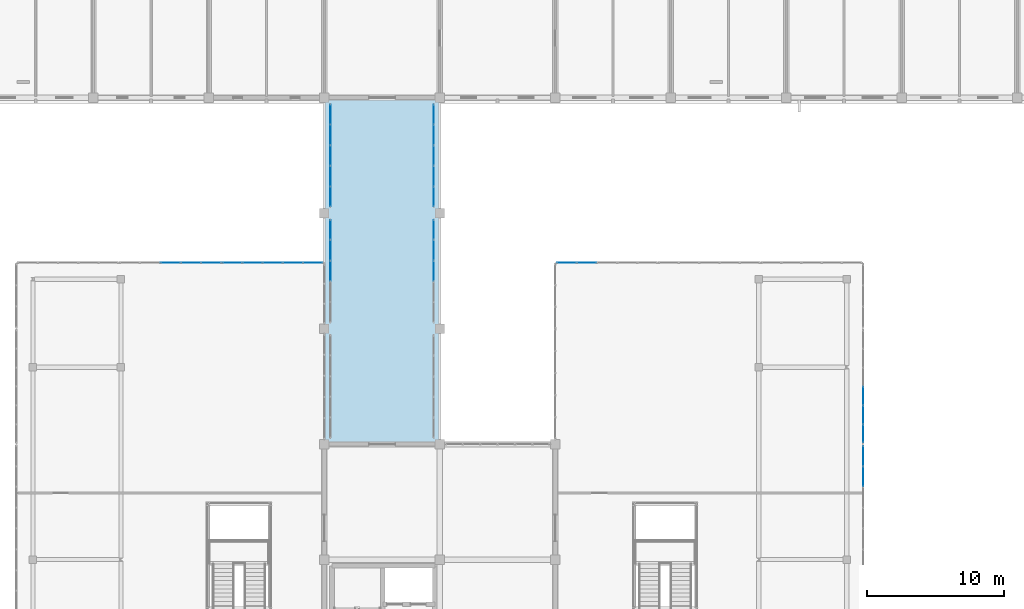
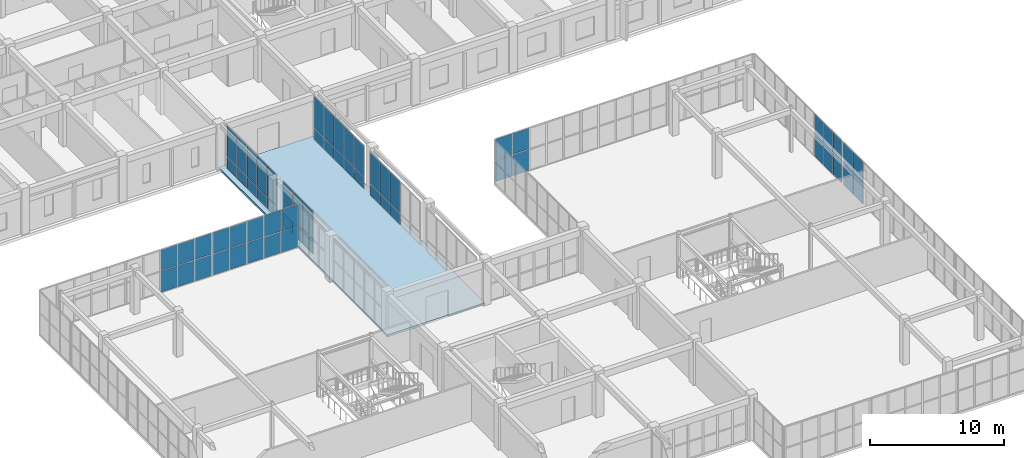
# One storey, part 103 of 140: 62 plates, 1 slab, 9 elements without a shape of their own.
"""IFC4 building model written with IfcOpenShell, lengths in metres."""

from ifc_helpers import new_model, si_unit, direction, frame, origin, origin_2d, place, context, subcontext, project, spatial, polyline, rectangle, outline, extrude, material, layer, layer_set, type_object, element, aggregate, save


model = new_model("IFC4")

# Units and contexts
model_context = context("Model", 3, precision=1e-05, world=origin(), true_north=direction((0.0, 1.0)))
body_context = subcontext(model_context, "Body", "Model", "MODEL_VIEW")
ifc_project = project(units=[si_unit("LENGTHUNIT", "METRE"), si_unit("AREAUNIT", "SQUARE_METRE"), si_unit("VOLUMEUNIT", "CUBIC_METRE"), si_unit("PLANEANGLEUNIT", "RADIAN"), si_unit("MASSUNIT", "GRAM", prefix="KILO")], contexts=[model_context])

# Site, building, storey
site_placement = place(None, origin())
site = spatial("IfcSite", under=ifc_project, at=site_placement, CompositionType="ELEMENT")
building_placement = place(site_placement, origin())
building = spatial("IfcBuilding", under=site, at=building_placement, Name="Trelvath General Hospital", CompositionType="ELEMENT")
storey_placement = place(building_placement, frame((0.0, 0.0, 16.199951171875)))
storey = spatial("IfcBuildingStorey", under=building, at=storey_placement, Name="L04", CompositionType="ELEMENT", Elevation=16.199951171875)

# Slab
ifc_material_1 = material(Name="Concrete C35/45", Category="concrete")
ifc_layer_1 = layer(ifc_material_1, 0.18994140625)
ifc_layer_set_1 = layer_set([ifc_layer_1], Name="Concrete C35/45")
slab_type = type_object("IfcSlabType", Name="BridgeDeck 190", PredefinedType="FLOOR", material=ifc_layer_set_1)
slab_placement = place(storey_placement, frame((0.0, 0.0, -0.18994140625)))
element("IfcSlab", 1, at=slab_placement, inside=storey, type_object=slab_type, Name="Courtyard Bridge Deck BRG-N-C L04", PredefinedType="FLOOR", context=body_context, shape_type="SweptSolid", body=[
    extrude(outline(polyline([(75.60009765625, 67.199951171875), (84.0, 67.199951171875), (84.0, 92.39990234375), (75.60009765625, 92.39990234375), (75.60009765625, 67.199951171875)])), origin(), (0.0, 0.0, 1.0), 0.18994140625),
])

# Curtain wall, plates
ifc_material_2 = material(Name="Anodised aluminium and low-E glass", Category="aluminium")
ifc_layer_2 = layer(ifc_material_2, 0.139892578125)
ifc_layer_set_2 = layer_set([ifc_layer_2], Name="Anodised aluminium and low-E glass")
curtain_wall_type_1 = type_object("IfcCurtainWallType", Name="CW CrystalCube 743 396 14", PredefinedType="USERDEFINED", material=ifc_layer_set_2)
curtain_wall_1_placement = place(storey_placement, origin())
curtain_wall_1 = element("IfcCurtainWall", 2, at=curtain_wall_1_placement, inside=storey, type_object=curtain_wall_type_1, Name="Crystal Cube Curtain Wall CUBE-W-T1 N2 L04", ObjectType="Unitised Glazed Curtain Wall", PredefinedType="USERDEFINED")
ifc_material_3 = material(Name="Low-E laminated glass", Category="glass")
ifc_layer_3 = layer(ifc_material_3, 0.028076171875)
ifc_layer_set_3 = layer_set([ifc_layer_3], Name="Low-E laminated glass")
plate_type = type_object("IfcPlateType", Name="CurtainPanel Glass28", PredefinedType="CURTAIN_PANEL", material=ifc_layer_set_3)
plate_1_placement = place(storey_placement, frame((64.39990234375, 80.39990234375, 0.06005859375), z_axis=(0.0, 0.0, 1.0), x_axis=(1.0, 0.0, 0.0)))
plate_1 = element("IfcPlate", 3, at=plate_1_placement, type_object=plate_type, Name="CW-272 panel 3.1", PredefinedType="CURTAIN_PANEL", context=body_context, shape_type="SweptSolid", body=[
    extrude(rectangle(XDim=1.42529296875, YDim=0.028076171875, at=origin_2d()), origin(), (0.0, 0.0, 1.0), 1.889892578125),
])
plate_2_placement = place(storey_placement, frame((64.39990234375, 80.39990234375, 2.01025390625), z_axis=(0.0, 0.0, 1.0), x_axis=(1.0, 0.0, 0.0)))
plate_2 = element("IfcPlate", 4, at=plate_2_placement, type_object=plate_type, Name="CW-272 panel 3.2", PredefinedType="CURTAIN_PANEL", context=body_context, shape_type="SweptSolid", body=[
    extrude(rectangle(XDim=1.42529296875, YDim=0.028076171875, at=origin_2d()), origin(), (0.0, 0.0, 1.0), 1.889892578125),
])
plate_3_placement = place(storey_placement, frame((65.88525390625, 80.39990234375, 0.06005859375), z_axis=(0.0, 0.0, 1.0), x_axis=(1.0, 0.0, 0.0)))
plate_3 = element("IfcPlate", 5, at=plate_3_placement, type_object=plate_type, Name="CW-272 panel 4.1", PredefinedType="CURTAIN_PANEL", context=body_context, shape_type="SweptSolid", body=[
    extrude(rectangle(XDim=1.42529296875, YDim=0.028076171875, at=origin_2d()), origin(), (0.0, 0.0, 1.0), 1.889892578125),
])
plate_4_placement = place(storey_placement, frame((65.88525390625, 80.39990234375, 2.01025390625), z_axis=(0.0, 0.0, 1.0), x_axis=(1.0, 0.0, 0.0)))
plate_4 = element("IfcPlate", 6, at=plate_4_placement, type_object=plate_type, Name="CW-272 panel 4.2", PredefinedType="CURTAIN_PANEL", context=body_context, shape_type="SweptSolid", body=[
    extrude(rectangle(XDim=1.42529296875, YDim=0.028076171875, at=origin_2d()), origin(), (0.0, 0.0, 1.0), 1.889892578125),
])
plate_5_placement = place(storey_placement, frame((67.355712890625, 80.39990234375, 0.06005859375), z_axis=(0.0, 0.0, 1.0), x_axis=(1.0, 0.0, 0.0)))
plate_5 = element("IfcPlate", 7, at=plate_5_placement, type_object=plate_type, Name="CW-272 panel 5.1", PredefinedType="CURTAIN_PANEL", context=body_context, shape_type="SweptSolid", body=[
    extrude(rectangle(XDim=1.395263671875, YDim=0.028076171875, at=origin_2d()), origin(), (0.0, 0.0, 1.0), 1.889892578125),
])
plate_6_placement = place(storey_placement, frame((67.355712890625, 80.39990234375, 2.01025390625), z_axis=(0.0, 0.0, 1.0), x_axis=(1.0, 0.0, 0.0)))
plate_6 = element("IfcPlate", 8, at=plate_6_placement, type_object=plate_type, Name="CW-272 panel 5.2", PredefinedType="CURTAIN_PANEL", context=body_context, shape_type="SweptSolid", body=[
    extrude(rectangle(XDim=1.395263671875, YDim=0.028076171875, at=origin_2d()), origin(), (0.0, 0.0, 1.0), 1.889892578125),
])
aggregate(curtain_wall_1, [plate_1, plate_2, plate_3, plate_4, plate_5, plate_6])

ifc_material_4 = material(Name="Anodised aluminium and low-E glass", Category="aluminium")
ifc_layer_4 = layer(ifc_material_4, 0.139892578125)
ifc_layer_set_4 = layer_set([ifc_layer_4], Name="Anodised aluminium and low-E glass")
curtain_wall_type_2 = type_object("IfcCurtainWallType", Name="CW CrystalCube 737 396 14", PredefinedType="USERDEFINED", material=ifc_layer_set_4)
curtain_wall_2_placement = place(storey_placement, origin())
curtain_wall_2 = element("IfcCurtainWall", 9, at=curtain_wall_2_placement, inside=storey, type_object=curtain_wall_type_2, Name="Crystal Cube Curtain Wall CUBE-W-T1 N3 L04", ObjectType="Unitised Glazed Curtain Wall", PredefinedType="USERDEFINED")
plate_7_placement = place(storey_placement, frame((68.905029296875, 80.39990234375, 0.06005859375), z_axis=(0.0, 0.0, 1.0), x_axis=(1.0, 0.0, 0.0)))
plate_7 = element("IfcPlate", 10, at=plate_7_placement, type_object=plate_type, Name="CW-273 panel 1.1", PredefinedType="CURTAIN_PANEL", context=body_context, shape_type="SweptSolid", body=[
    extrude(rectangle(XDim=1.38330078125, YDim=0.028076171875, at=origin_2d()), origin(), (0.0, 0.0, 1.0), 1.889892578125),
])
plate_8_placement = place(storey_placement, frame((68.905029296875, 80.39990234375, 2.01025390625), z_axis=(0.0, 0.0, 1.0), x_axis=(1.0, 0.0, 0.0)))
plate_8 = element("IfcPlate", 11, at=plate_8_placement, type_object=plate_type, Name="CW-273 panel 1.2", PredefinedType="CURTAIN_PANEL", context=body_context, shape_type="SweptSolid", body=[
    extrude(rectangle(XDim=1.38330078125, YDim=0.028076171875, at=origin_2d()), origin(), (0.0, 0.0, 1.0), 1.889892578125),
])
plate_9_placement = place(storey_placement, frame((70.36328125, 80.39990234375, 0.06005859375), z_axis=(0.0, 0.0, 1.0), x_axis=(1.0, 0.0, 0.0)))
plate_9 = element("IfcPlate", 12, at=plate_9_placement, type_object=plate_type, Name="CW-273 panel 2.1", PredefinedType="CURTAIN_PANEL", context=body_context, shape_type="SweptSolid", body=[
    extrude(rectangle(XDim=1.413330078125, YDim=0.028076171875, at=origin_2d()), origin(), (0.0, 0.0, 1.0), 1.889892578125),
])
plate_10_placement = place(storey_placement, frame((70.36328125, 80.39990234375, 2.01025390625), z_axis=(0.0, 0.0, 1.0), x_axis=(1.0, 0.0, 0.0)))
plate_10 = element("IfcPlate", 13, at=plate_10_placement, type_object=plate_type, Name="CW-273 panel 2.2", PredefinedType="CURTAIN_PANEL", context=body_context, shape_type="SweptSolid", body=[
    extrude(rectangle(XDim=1.413330078125, YDim=0.028076171875, at=origin_2d()), origin(), (0.0, 0.0, 1.0), 1.889892578125),
])
plate_11_placement = place(storey_placement, frame((71.836669921875, 80.39990234375, 0.06005859375), z_axis=(0.0, 0.0, 1.0), x_axis=(1.0, 0.0, 0.0)))
plate_11 = element("IfcPlate", 14, at=plate_11_placement, type_object=plate_type, Name="CW-273 panel 3.1", PredefinedType="CURTAIN_PANEL", context=body_context, shape_type="SweptSolid", body=[
    extrude(rectangle(XDim=1.413330078125, YDim=0.028076171875, at=origin_2d()), origin(), (0.0, 0.0, 1.0), 1.889892578125),
])
plate_12_placement = place(storey_placement, frame((71.836669921875, 80.39990234375, 2.01025390625), z_axis=(0.0, 0.0, 1.0), x_axis=(1.0, 0.0, 0.0)))
plate_12 = element("IfcPlate", 15, at=plate_12_placement, type_object=plate_type, Name="CW-273 panel 3.2", PredefinedType="CURTAIN_PANEL", context=body_context, shape_type="SweptSolid", body=[
    extrude(rectangle(XDim=1.413330078125, YDim=0.028076171875, at=origin_2d()), origin(), (0.0, 0.0, 1.0), 1.889892578125),
])
plate_13_placement = place(storey_placement, frame((73.31005859375, 80.39990234375, 0.06005859375), z_axis=(0.0, 0.0, 1.0), x_axis=(1.0, 0.0, 0.0)))
plate_13 = element("IfcPlate", 16, at=plate_13_placement, type_object=plate_type, Name="CW-273 panel 4.1", PredefinedType="CURTAIN_PANEL", context=body_context, shape_type="SweptSolid", body=[
    extrude(rectangle(XDim=1.413330078125, YDim=0.028076171875, at=origin_2d()), origin(), (0.0, 0.0, 1.0), 1.889892578125),
])
plate_14_placement = place(storey_placement, frame((73.31005859375, 80.39990234375, 2.01025390625), z_axis=(0.0, 0.0, 1.0), x_axis=(1.0, 0.0, 0.0)))
plate_14 = element("IfcPlate", 17, at=plate_14_placement, type_object=plate_type, Name="CW-273 panel 4.2", PredefinedType="CURTAIN_PANEL", context=body_context, shape_type="SweptSolid", body=[
    extrude(rectangle(XDim=1.413330078125, YDim=0.028076171875, at=origin_2d()), origin(), (0.0, 0.0, 1.0), 1.889892578125),
])
plate_15_placement = place(storey_placement, frame((74.768310546875, 80.39990234375, 0.06005859375), z_axis=(0.0, 0.0, 1.0), x_axis=(1.0, 0.0, 0.0)))
plate_15 = element("IfcPlate", 18, at=plate_15_placement, type_object=plate_type, Name="CW-273 panel 5.1", PredefinedType="CURTAIN_PANEL", context=body_context, shape_type="SweptSolid", body=[
    extrude(rectangle(XDim=1.38330078125, YDim=0.028076171875, at=origin_2d()), origin(), (0.0, 0.0, 1.0), 1.889892578125),
])
plate_16_placement = place(storey_placement, frame((74.768310546875, 80.39990234375, 2.01025390625), z_axis=(0.0, 0.0, 1.0), x_axis=(1.0, 0.0, 0.0)))
plate_16 = element("IfcPlate", 19, at=plate_16_placement, type_object=plate_type, Name="CW-273 panel 5.2", PredefinedType="CURTAIN_PANEL", context=body_context, shape_type="SweptSolid", body=[
    extrude(rectangle(XDim=1.38330078125, YDim=0.028076171875, at=origin_2d()), origin(), (0.0, 0.0, 1.0), 1.889892578125),
])
aggregate(curtain_wall_2, [plate_7, plate_8, plate_9, plate_10, plate_11, plate_12, plate_13, plate_14, plate_15, plate_16])

curtain_wall_3_placement = place(storey_placement, origin())
curtain_wall_3 = element("IfcCurtainWall", 20, at=curtain_wall_3_placement, inside=storey, type_object=curtain_wall_type_2, Name="Crystal Cube Curtain Wall CUBE-E-T1 N1 L04", ObjectType="Unitised Glazed Curtain Wall", PredefinedType="USERDEFINED")
plate_17_placement = place(storey_placement, frame((93.231689453125, 80.39990234375, 0.06005859375), z_axis=(0.0, 0.0, 1.0), x_axis=(1.0, 0.0, 0.0)))
plate_17 = element("IfcPlate", 21, at=plate_17_placement, type_object=plate_type, Name="CW-285 panel 1.1", PredefinedType="CURTAIN_PANEL", context=body_context, shape_type="SweptSolid", body=[
    extrude(rectangle(XDim=1.38330078125, YDim=0.028076171875, at=origin_2d()), origin(), (0.0, 0.0, 1.0), 1.889892578125),
])
plate_18_placement = place(storey_placement, frame((93.231689453125, 80.39990234375, 2.01025390625), z_axis=(0.0, 0.0, 1.0), x_axis=(1.0, 0.0, 0.0)))
plate_18 = element("IfcPlate", 22, at=plate_18_placement, type_object=plate_type, Name="CW-285 panel 1.2", PredefinedType="CURTAIN_PANEL", context=body_context, shape_type="SweptSolid", body=[
    extrude(rectangle(XDim=1.38330078125, YDim=0.028076171875, at=origin_2d()), origin(), (0.0, 0.0, 1.0), 1.889892578125),
])
plate_19_placement = place(storey_placement, frame((94.68994140625, 80.39990234375, 0.06005859375), z_axis=(0.0, 0.0, 1.0), x_axis=(1.0, 0.0, 0.0)))
plate_19 = element("IfcPlate", 23, at=plate_19_placement, type_object=plate_type, Name="CW-285 panel 2.1", PredefinedType="CURTAIN_PANEL", context=body_context, shape_type="SweptSolid", body=[
    extrude(rectangle(XDim=1.413330078125, YDim=0.028076171875, at=origin_2d()), origin(), (0.0, 0.0, 1.0), 1.889892578125),
])
plate_20_placement = place(storey_placement, frame((94.68994140625, 80.39990234375, 2.01025390625), z_axis=(0.0, 0.0, 1.0), x_axis=(1.0, 0.0, 0.0)))
plate_20 = element("IfcPlate", 24, at=plate_20_placement, type_object=plate_type, Name="CW-285 panel 2.2", PredefinedType="CURTAIN_PANEL", context=body_context, shape_type="SweptSolid", body=[
    extrude(rectangle(XDim=1.413330078125, YDim=0.028076171875, at=origin_2d()), origin(), (0.0, 0.0, 1.0), 1.889892578125),
])
aggregate(curtain_wall_3, [plate_17, plate_18, plate_19, plate_20])

ifc_material_5 = material(Name="Anodised aluminium and low-E glass", Category="aluminium")
ifc_layer_5 = layer(ifc_material_5, 0.139892578125)
ifc_layer_set_5 = layer_set([ifc_layer_5], Name="Anodised aluminium and low-E glass")
curtain_wall_type_3 = type_object("IfcCurtainWallType", Name="CW CrystalCube 1664 396 14", PredefinedType="USERDEFINED", material=ifc_layer_set_5)
curtain_wall_4_placement = place(storey_placement, origin())
curtain_wall_4 = element("IfcCurtainWall", 25, at=curtain_wall_4_placement, inside=storey, type_object=curtain_wall_type_3, Name="Crystal Cube Curtain Wall CUBE-E-T1 E3 L04", ObjectType="Unitised Glazed Curtain Wall", PredefinedType="USERDEFINED")
plate_21_placement = place(storey_placement, frame((114.800048828125, 66.3486328125, 0.06005859375), z_axis=(0.0, 0.0, 1.0), x_axis=(0.0, -1.0, 0.0)))
plate_21 = element("IfcPlate", 26, at=plate_21_placement, type_object=plate_type, Name="CW-291 panel 1.1", PredefinedType="CURTAIN_PANEL", context=body_context, shape_type="SweptSolid", body=[
    extrude(rectangle(XDim=1.422607421875, YDim=0.028076171875, at=origin_2d()), origin(), (0.0, 0.0, 1.0), 1.889892578125),
])
plate_22_placement = place(storey_placement, frame((114.800048828125, 66.3486328125, 2.01025390625), z_axis=(0.0, 0.0, 1.0), x_axis=(0.0, -1.0, 0.0)))
plate_22 = element("IfcPlate", 27, at=plate_22_placement, type_object=plate_type, Name="CW-291 panel 1.2", PredefinedType="CURTAIN_PANEL", context=body_context, shape_type="SweptSolid", body=[
    extrude(rectangle(XDim=1.422607421875, YDim=0.028076171875, at=origin_2d()), origin(), (0.0, 0.0, 1.0), 1.889892578125),
])
plate_23_placement = place(storey_placement, frame((114.800048828125, 64.850830078125, 0.06005859375), z_axis=(0.0, 0.0, 1.0), x_axis=(0.0, -1.0, 0.0)))
plate_23 = element("IfcPlate", 28, at=plate_23_placement, type_object=plate_type, Name="CW-291 panel 2.1", PredefinedType="CURTAIN_PANEL", context=body_context, shape_type="SweptSolid", body=[
    extrude(rectangle(XDim=1.45263671875, YDim=0.028076171875, at=origin_2d()), origin(), (0.0, 0.0, 1.0), 1.889892578125),
])
plate_24_placement = place(storey_placement, frame((114.800048828125, 64.850830078125, 2.01025390625), z_axis=(0.0, 0.0, 1.0), x_axis=(0.0, -1.0, 0.0)))
plate_24 = element("IfcPlate", 29, at=plate_24_placement, type_object=plate_type, Name="CW-291 panel 2.2", PredefinedType="CURTAIN_PANEL", context=body_context, shape_type="SweptSolid", body=[
    extrude(rectangle(XDim=1.45263671875, YDim=0.028076171875, at=origin_2d()), origin(), (0.0, 0.0, 1.0), 1.889892578125),
])
aggregate(curtain_wall_4, [plate_21, plate_22, plate_23, plate_24])

ifc_material_6 = material(Name="Anodised aluminium and low-E glass", Category="aluminium")
ifc_layer_6 = layer(ifc_material_6, 0.139892578125)
ifc_layer_set_6 = layer_set([ifc_layer_6], Name="Anodised aluminium and low-E glass")
curtain_wall_type_4 = type_object("IfcCurtainWallType", Name="CW CrystalCube 824 396 14", PredefinedType="USERDEFINED", material=ifc_layer_set_6)
curtain_wall_5_placement = place(storey_placement, origin())
curtain_wall_5 = element("IfcCurtainWall", 30, at=curtain_wall_5_placement, inside=storey, type_object=curtain_wall_type_4, Name="Crystal Cube Curtain Wall CUBE-E-T1 E4 L04", ObjectType="Unitised Glazed Curtain Wall", PredefinedType="USERDEFINED")
plate_25_placement = place(storey_placement, frame((114.800048828125, 70.71337890625, 0.06005859375), z_axis=(0.0, 0.0, 1.0), x_axis=(0.0, -1.0, 0.0)))
plate_25 = element("IfcPlate", 31, at=plate_25_placement, type_object=plate_type, Name="CW-292 panel 4.1", PredefinedType="CURTAIN_PANEL", context=body_context, shape_type="SweptSolid", body=[
    extrude(rectangle(XDim=1.313232421875, YDim=0.028076171875, at=origin_2d()), origin(), (0.0, 0.0, 1.0), 1.889892578125),
])
plate_26_placement = place(storey_placement, frame((114.800048828125, 70.71337890625, 2.01025390625), z_axis=(0.0, 0.0, 1.0), x_axis=(0.0, -1.0, 0.0)))
plate_26 = element("IfcPlate", 32, at=plate_26_placement, type_object=plate_type, Name="CW-292 panel 4.2", PredefinedType="CURTAIN_PANEL", context=body_context, shape_type="SweptSolid", body=[
    extrude(rectangle(XDim=1.313232421875, YDim=0.028076171875, at=origin_2d()), origin(), (0.0, 0.0, 1.0), 1.889892578125),
])
plate_27_placement = place(storey_placement, frame((114.800048828125, 69.340087890625, 0.06005859375), z_axis=(0.0, 0.0, 1.0), x_axis=(0.0, -1.0, 0.0)))
plate_27 = element("IfcPlate", 33, at=plate_27_placement, type_object=plate_type, Name="CW-292 panel 5.1", PredefinedType="CURTAIN_PANEL", context=body_context, shape_type="SweptSolid", body=[
    extrude(rectangle(XDim=1.313232421875, YDim=0.028076171875, at=origin_2d()), origin(), (0.0, 0.0, 1.0), 1.889892578125),
])
plate_28_placement = place(storey_placement, frame((114.800048828125, 69.340087890625, 2.01025390625), z_axis=(0.0, 0.0, 1.0), x_axis=(0.0, -1.0, 0.0)))
plate_28 = element("IfcPlate", 34, at=plate_28_placement, type_object=plate_type, Name="CW-292 panel 5.2", PredefinedType="CURTAIN_PANEL", context=body_context, shape_type="SweptSolid", body=[
    extrude(rectangle(XDim=1.313232421875, YDim=0.028076171875, at=origin_2d()), origin(), (0.0, 0.0, 1.0), 1.889892578125),
])
plate_29_placement = place(storey_placement, frame((114.800048828125, 67.981689453125, 0.06005859375), z_axis=(0.0, 0.0, 1.0), x_axis=(0.0, -1.0, 0.0)))
plate_29 = element("IfcPlate", 35, at=plate_29_placement, type_object=plate_type, Name="CW-292 panel 6.1", PredefinedType="CURTAIN_PANEL", context=body_context, shape_type="SweptSolid", body=[
    extrude(rectangle(XDim=1.283447265625, YDim=0.028076171875, at=origin_2d()), origin(), (0.0, 0.0, 1.0), 1.889892578125),
])
plate_30_placement = place(storey_placement, frame((114.800048828125, 67.981689453125, 2.01025390625), z_axis=(0.0, 0.0, 1.0), x_axis=(0.0, -1.0, 0.0)))
plate_30 = element("IfcPlate", 36, at=plate_30_placement, type_object=plate_type, Name="CW-292 panel 6.2", PredefinedType="CURTAIN_PANEL", context=body_context, shape_type="SweptSolid", body=[
    extrude(rectangle(XDim=1.283447265625, YDim=0.028076171875, at=origin_2d()), origin(), (0.0, 0.0, 1.0), 1.889892578125),
])
aggregate(curtain_wall_5, [plate_25, plate_26, plate_27, plate_28, plate_29, plate_30])

ifc_material_7 = material(Name="Anodised aluminium and low-E glass", Category="aluminium")
ifc_layer_7 = layer(ifc_material_7, 0.139892578125)
ifc_layer_set_7 = layer_set([ifc_layer_7], Name="Anodised aluminium and low-E glass")
curtain_wall_type_5 = type_object("IfcCurtainWallType", Name="CW Bridge 752 401", PredefinedType="USERDEFINED", material=ifc_layer_set_7)
curtain_wall_6_placement = place(storey_placement, origin())
curtain_wall_6 = element("IfcCurtainWall", 37, at=curtain_wall_6_placement, inside=storey, type_object=curtain_wall_type_5, Name="Glazed Bridge Curtain Wall BRG-N-C W L04", ObjectType="Unitised Glazed Curtain Wall", PredefinedType="USERDEFINED")
plate_31_placement = place(storey_placement, frame((76.0400390625, 79.800048828125, 0.06005859375), z_axis=(0.0, 0.0, 1.0), x_axis=(0.0, 1.0, 0.0)))
plate_31 = element("IfcPlate", 38, at=plate_31_placement, type_object=plate_type, Name="CW-298 panel 3.1", PredefinedType="CURTAIN_PANEL", context=body_context, shape_type="SweptSolid", body=[
    extrude(rectangle(XDim=1.444091796875, YDim=0.028076171875, at=origin_2d()), origin(), (0.0, 0.0, 1.0), 1.010009765625),
])
plate_32_placement = place(storey_placement, frame((76.0400390625, 79.800048828125, 1.1298828125), z_axis=(0.0, 0.0, 1.0), x_axis=(0.0, 1.0, 0.0)))
plate_32 = element("IfcPlate", 39, at=plate_32_placement, type_object=plate_type, Name="CW-298 panel 3.2", PredefinedType="CURTAIN_PANEL", context=body_context, shape_type="SweptSolid", body=[
    extrude(rectangle(XDim=1.444091796875, YDim=0.028076171875, at=origin_2d()), origin(), (0.0, 0.0, 1.0), 2.820068359375),
])
plate_33_placement = place(storey_placement, frame((76.0400390625, 81.303955078125, 0.06005859375), z_axis=(0.0, 0.0, 1.0), x_axis=(0.0, 1.0, 0.0)))
plate_33 = element("IfcPlate", 40, at=plate_33_placement, type_object=plate_type, Name="CW-298 panel 4.1", PredefinedType="CURTAIN_PANEL", context=body_context, shape_type="SweptSolid", body=[
    extrude(rectangle(XDim=1.444091796875, YDim=0.028076171875, at=origin_2d()), origin(), (0.0, 0.0, 1.0), 1.010009765625),
])
plate_34_placement = place(storey_placement, frame((76.0400390625, 81.303955078125, 1.1298828125), z_axis=(0.0, 0.0, 1.0), x_axis=(0.0, 1.0, 0.0)))
plate_34 = element("IfcPlate", 41, at=plate_34_placement, type_object=plate_type, Name="CW-298 panel 4.2", PredefinedType="CURTAIN_PANEL", context=body_context, shape_type="SweptSolid", body=[
    extrude(rectangle(XDim=1.444091796875, YDim=0.028076171875, at=origin_2d()), origin(), (0.0, 0.0, 1.0), 2.820068359375),
])
plate_35_placement = place(storey_placement, frame((76.0400390625, 82.79296875, 0.06005859375), z_axis=(0.0, 0.0, 1.0), x_axis=(0.0, 1.0, 0.0)))
plate_35 = element("IfcPlate", 42, at=plate_35_placement, type_object=plate_type, Name="CW-298 panel 5.1", PredefinedType="CURTAIN_PANEL", context=body_context, shape_type="SweptSolid", body=[
    extrude(rectangle(XDim=1.4140625, YDim=0.028076171875, at=origin_2d()), origin(), (0.0, 0.0, 1.0), 1.010009765625),
])
plate_36_placement = place(storey_placement, frame((76.0400390625, 82.79296875, 1.1298828125), z_axis=(0.0, 0.0, 1.0), x_axis=(0.0, 1.0, 0.0)))
plate_36 = element("IfcPlate", 43, at=plate_36_placement, type_object=plate_type, Name="CW-298 panel 5.2", PredefinedType="CURTAIN_PANEL", context=body_context, shape_type="SweptSolid", body=[
    extrude(rectangle(XDim=1.4140625, YDim=0.028076171875, at=origin_2d()), origin(), (0.0, 0.0, 1.0), 2.820068359375),
])
aggregate(curtain_wall_6, [plate_31, plate_32, plate_33, plate_34, plate_35, plate_36])

curtain_wall_7_placement = place(storey_placement, origin())
curtain_wall_7 = element("IfcCurtainWall", 44, at=curtain_wall_7_placement, inside=storey, type_object=curtain_wall_type_5, Name="Glazed Bridge Curtain Wall BRG-N-C E L04", ObjectType="Unitised Glazed Curtain Wall", PredefinedType="USERDEFINED")
plate_37_placement = place(storey_placement, frame((83.56005859375, 82.79296875, 0.06005859375), z_axis=(0.0, 0.0, 1.0), x_axis=(0.0, -1.0, 0.0)))
plate_37 = element("IfcPlate", 45, at=plate_37_placement, type_object=plate_type, Name="CW-299 panel 1.1", PredefinedType="CURTAIN_PANEL", context=body_context, shape_type="SweptSolid", body=[
    extrude(rectangle(XDim=1.4140625, YDim=0.028076171875, at=origin_2d()), origin(), (0.0, 0.0, 1.0), 1.010009765625),
])
plate_38_placement = place(storey_placement, frame((83.56005859375, 82.79296875, 1.1298828125), z_axis=(0.0, 0.0, 1.0), x_axis=(0.0, -1.0, 0.0)))
plate_38 = element("IfcPlate", 46, at=plate_38_placement, type_object=plate_type, Name="CW-299 panel 1.2", PredefinedType="CURTAIN_PANEL", context=body_context, shape_type="SweptSolid", body=[
    extrude(rectangle(XDim=1.4140625, YDim=0.028076171875, at=origin_2d()), origin(), (0.0, 0.0, 1.0), 2.820068359375),
])
plate_39_placement = place(storey_placement, frame((83.56005859375, 81.303955078125, 0.06005859375), z_axis=(0.0, 0.0, 1.0), x_axis=(0.0, -1.0, 0.0)))
plate_39 = element("IfcPlate", 47, at=plate_39_placement, type_object=plate_type, Name="CW-299 panel 2.1", PredefinedType="CURTAIN_PANEL", context=body_context, shape_type="SweptSolid", body=[
    extrude(rectangle(XDim=1.444091796875, YDim=0.028076171875, at=origin_2d()), origin(), (0.0, 0.0, 1.0), 1.010009765625),
])
plate_40_placement = place(storey_placement, frame((83.56005859375, 81.303955078125, 1.1298828125), z_axis=(0.0, 0.0, 1.0), x_axis=(0.0, -1.0, 0.0)))
plate_40 = element("IfcPlate", 48, at=plate_40_placement, type_object=plate_type, Name="CW-299 panel 2.2", PredefinedType="CURTAIN_PANEL", context=body_context, shape_type="SweptSolid", body=[
    extrude(rectangle(XDim=1.444091796875, YDim=0.028076171875, at=origin_2d()), origin(), (0.0, 0.0, 1.0), 2.820068359375),
])
plate_41_placement = place(storey_placement, frame((83.56005859375, 79.800048828125, 0.06005859375), z_axis=(0.0, 0.0, 1.0), x_axis=(0.0, -1.0, 0.0)))
plate_41 = element("IfcPlate", 49, at=plate_41_placement, type_object=plate_type, Name="CW-299 panel 3.1", PredefinedType="CURTAIN_PANEL", context=body_context, shape_type="SweptSolid", body=[
    extrude(rectangle(XDim=1.444091796875, YDim=0.028076171875, at=origin_2d()), origin(), (0.0, 0.0, 1.0), 1.010009765625),
])
plate_42_placement = place(storey_placement, frame((83.56005859375, 79.800048828125, 1.1298828125), z_axis=(0.0, 0.0, 1.0), x_axis=(0.0, -1.0, 0.0)))
plate_42 = element("IfcPlate", 50, at=plate_42_placement, type_object=plate_type, Name="CW-299 panel 3.2", PredefinedType="CURTAIN_PANEL", context=body_context, shape_type="SweptSolid", body=[
    extrude(rectangle(XDim=1.444091796875, YDim=0.028076171875, at=origin_2d()), origin(), (0.0, 0.0, 1.0), 2.820068359375),
])
aggregate(curtain_wall_7, [plate_37, plate_38, plate_39, plate_40, plate_41, plate_42])

curtain_wall_8_placement = place(storey_placement, origin())
curtain_wall_8 = element("IfcCurtainWall", 51, at=curtain_wall_8_placement, inside=storey, type_object=curtain_wall_type_5, Name="Glazed Bridge Curtain Wall BRG-N-C W L04", ObjectType="Unitised Glazed Curtain Wall", PredefinedType="USERDEFINED")
plate_43_placement = place(storey_placement, frame((76.0400390625, 85.20703125, 0.06005859375), z_axis=(0.0, 0.0, 1.0), x_axis=(0.0, 1.0, 0.0)))
plate_43 = element("IfcPlate", 52, at=plate_43_placement, type_object=plate_type, Name="CW-300 panel 1.1", PredefinedType="CURTAIN_PANEL", context=body_context, shape_type="SweptSolid", body=[
    extrude(rectangle(XDim=1.4140625, YDim=0.028076171875, at=origin_2d()), origin(), (0.0, 0.0, 1.0), 1.010009765625),
])
plate_44_placement = place(storey_placement, frame((76.0400390625, 85.20703125, 1.1298828125), z_axis=(0.0, 0.0, 1.0), x_axis=(0.0, 1.0, 0.0)))
plate_44 = element("IfcPlate", 53, at=plate_44_placement, type_object=plate_type, Name="CW-300 panel 1.2", PredefinedType="CURTAIN_PANEL", context=body_context, shape_type="SweptSolid", body=[
    extrude(rectangle(XDim=1.4140625, YDim=0.028076171875, at=origin_2d()), origin(), (0.0, 0.0, 1.0), 2.820068359375),
])
plate_45_placement = place(storey_placement, frame((76.0400390625, 86.696044921875, 0.06005859375), z_axis=(0.0, 0.0, 1.0), x_axis=(0.0, 1.0, 0.0)))
plate_45 = element("IfcPlate", 54, at=plate_45_placement, type_object=plate_type, Name="CW-300 panel 2.1", PredefinedType="CURTAIN_PANEL", context=body_context, shape_type="SweptSolid", body=[
    extrude(rectangle(XDim=1.444091796875, YDim=0.028076171875, at=origin_2d()), origin(), (0.0, 0.0, 1.0), 1.010009765625),
])
plate_46_placement = place(storey_placement, frame((76.0400390625, 86.696044921875, 1.1298828125), z_axis=(0.0, 0.0, 1.0), x_axis=(0.0, 1.0, 0.0)))
plate_46 = element("IfcPlate", 55, at=plate_46_placement, type_object=plate_type, Name="CW-300 panel 2.2", PredefinedType="CURTAIN_PANEL", context=body_context, shape_type="SweptSolid", body=[
    extrude(rectangle(XDim=1.444091796875, YDim=0.028076171875, at=origin_2d()), origin(), (0.0, 0.0, 1.0), 2.820068359375),
])
plate_47_placement = place(storey_placement, frame((76.0400390625, 88.199951171875, 0.06005859375), z_axis=(0.0, 0.0, 1.0), x_axis=(0.0, 1.0, 0.0)))
plate_47 = element("IfcPlate", 56, at=plate_47_placement, type_object=plate_type, Name="CW-300 panel 3.1", PredefinedType="CURTAIN_PANEL", context=body_context, shape_type="SweptSolid", body=[
    extrude(rectangle(XDim=1.444091796875, YDim=0.028076171875, at=origin_2d()), origin(), (0.0, 0.0, 1.0), 1.010009765625),
])
plate_48_placement = place(storey_placement, frame((76.0400390625, 88.199951171875, 1.1298828125), z_axis=(0.0, 0.0, 1.0), x_axis=(0.0, 1.0, 0.0)))
plate_48 = element("IfcPlate", 57, at=plate_48_placement, type_object=plate_type, Name="CW-300 panel 3.2", PredefinedType="CURTAIN_PANEL", context=body_context, shape_type="SweptSolid", body=[
    extrude(rectangle(XDim=1.444091796875, YDim=0.028076171875, at=origin_2d()), origin(), (0.0, 0.0, 1.0), 2.820068359375),
])
plate_49_placement = place(storey_placement, frame((76.0400390625, 89.7041015625, 0.06005859375), z_axis=(0.0, 0.0, 1.0), x_axis=(0.0, 1.0, 0.0)))
plate_49 = element("IfcPlate", 58, at=plate_49_placement, type_object=plate_type, Name="CW-300 panel 4.1", PredefinedType="CURTAIN_PANEL", context=body_context, shape_type="SweptSolid", body=[
    extrude(rectangle(XDim=1.444091796875, YDim=0.028076171875, at=origin_2d()), origin(), (0.0, 0.0, 1.0), 1.010009765625),
])
plate_50_placement = place(storey_placement, frame((76.0400390625, 89.7041015625, 1.1298828125), z_axis=(0.0, 0.0, 1.0), x_axis=(0.0, 1.0, 0.0)))
plate_50 = element("IfcPlate", 59, at=plate_50_placement, type_object=plate_type, Name="CW-300 panel 4.2", PredefinedType="CURTAIN_PANEL", context=body_context, shape_type="SweptSolid", body=[
    extrude(rectangle(XDim=1.444091796875, YDim=0.028076171875, at=origin_2d()), origin(), (0.0, 0.0, 1.0), 2.820068359375),
])
plate_51_placement = place(storey_placement, frame((76.0400390625, 91.193115234375, 0.06005859375), z_axis=(0.0, 0.0, 1.0), x_axis=(0.0, 1.0, 0.0)))
plate_51 = element("IfcPlate", 60, at=plate_51_placement, type_object=plate_type, Name="CW-300 panel 5.1", PredefinedType="CURTAIN_PANEL", context=body_context, shape_type="SweptSolid", body=[
    extrude(rectangle(XDim=1.4140625, YDim=0.028076171875, at=origin_2d()), origin(), (0.0, 0.0, 1.0), 1.010009765625),
])
plate_52_placement = place(storey_placement, frame((76.0400390625, 91.193115234375, 1.1298828125), z_axis=(0.0, 0.0, 1.0), x_axis=(0.0, 1.0, 0.0)))
plate_52 = element("IfcPlate", 61, at=plate_52_placement, type_object=plate_type, Name="CW-300 panel 5.2", PredefinedType="CURTAIN_PANEL", context=body_context, shape_type="SweptSolid", body=[
    extrude(rectangle(XDim=1.4140625, YDim=0.028076171875, at=origin_2d()), origin(), (0.0, 0.0, 1.0), 2.820068359375),
])
aggregate(curtain_wall_8, [plate_43, plate_44, plate_45, plate_46, plate_47, plate_48, plate_49, plate_50, plate_51, plate_52])

curtain_wall_9_placement = place(storey_placement, origin())
curtain_wall_9 = element("IfcCurtainWall", 62, at=curtain_wall_9_placement, inside=storey, type_object=curtain_wall_type_5, Name="Glazed Bridge Curtain Wall BRG-N-C E L04", ObjectType="Unitised Glazed Curtain Wall", PredefinedType="USERDEFINED")
plate_53_placement = place(storey_placement, frame((83.56005859375, 91.193115234375, 0.06005859375), z_axis=(0.0, 0.0, 1.0), x_axis=(0.0, -1.0, 0.0)))
plate_53 = element("IfcPlate", 63, at=plate_53_placement, type_object=plate_type, Name="CW-301 panel 1.1", PredefinedType="CURTAIN_PANEL", context=body_context, shape_type="SweptSolid", body=[
    extrude(rectangle(XDim=1.4140625, YDim=0.028076171875, at=origin_2d()), origin(), (0.0, 0.0, 1.0), 1.010009765625),
])
plate_54_placement = place(storey_placement, frame((83.56005859375, 91.193115234375, 1.1298828125), z_axis=(0.0, 0.0, 1.0), x_axis=(0.0, -1.0, 0.0)))
plate_54 = element("IfcPlate", 64, at=plate_54_placement, type_object=plate_type, Name="CW-301 panel 1.2", PredefinedType="CURTAIN_PANEL", context=body_context, shape_type="SweptSolid", body=[
    extrude(rectangle(XDim=1.4140625, YDim=0.028076171875, at=origin_2d()), origin(), (0.0, 0.0, 1.0), 2.820068359375),
])
plate_55_placement = place(storey_placement, frame((83.56005859375, 89.7041015625, 0.06005859375), z_axis=(0.0, 0.0, 1.0), x_axis=(0.0, -1.0, 0.0)))
plate_55 = element("IfcPlate", 65, at=plate_55_placement, type_object=plate_type, Name="CW-301 panel 2.1", PredefinedType="CURTAIN_PANEL", context=body_context, shape_type="SweptSolid", body=[
    extrude(rectangle(XDim=1.444091796875, YDim=0.028076171875, at=origin_2d()), origin(), (0.0, 0.0, 1.0), 1.010009765625),
])
plate_56_placement = place(storey_placement, frame((83.56005859375, 89.7041015625, 1.1298828125), z_axis=(0.0, 0.0, 1.0), x_axis=(0.0, -1.0, 0.0)))
plate_56 = element("IfcPlate", 66, at=plate_56_placement, type_object=plate_type, Name="CW-301 panel 2.2", PredefinedType="CURTAIN_PANEL", context=body_context, shape_type="SweptSolid", body=[
    extrude(rectangle(XDim=1.444091796875, YDim=0.028076171875, at=origin_2d()), origin(), (0.0, 0.0, 1.0), 2.820068359375),
])
plate_57_placement = place(storey_placement, frame((83.56005859375, 88.199951171875, 0.06005859375), z_axis=(0.0, 0.0, 1.0), x_axis=(0.0, -1.0, 0.0)))
plate_57 = element("IfcPlate", 67, at=plate_57_placement, type_object=plate_type, Name="CW-301 panel 3.1", PredefinedType="CURTAIN_PANEL", context=body_context, shape_type="SweptSolid", body=[
    extrude(rectangle(XDim=1.444091796875, YDim=0.028076171875, at=origin_2d()), origin(), (0.0, 0.0, 1.0), 1.010009765625),
])
plate_58_placement = place(storey_placement, frame((83.56005859375, 88.199951171875, 1.1298828125), z_axis=(0.0, 0.0, 1.0), x_axis=(0.0, -1.0, 0.0)))
plate_58 = element("IfcPlate", 68, at=plate_58_placement, type_object=plate_type, Name="CW-301 panel 3.2", PredefinedType="CURTAIN_PANEL", context=body_context, shape_type="SweptSolid", body=[
    extrude(rectangle(XDim=1.444091796875, YDim=0.028076171875, at=origin_2d()), origin(), (0.0, 0.0, 1.0), 2.820068359375),
])
plate_59_placement = place(storey_placement, frame((83.56005859375, 86.696044921875, 0.06005859375), z_axis=(0.0, 0.0, 1.0), x_axis=(0.0, -1.0, 0.0)))
plate_59 = element("IfcPlate", 69, at=plate_59_placement, type_object=plate_type, Name="CW-301 panel 4.1", PredefinedType="CURTAIN_PANEL", context=body_context, shape_type="SweptSolid", body=[
    extrude(rectangle(XDim=1.444091796875, YDim=0.028076171875, at=origin_2d()), origin(), (0.0, 0.0, 1.0), 1.010009765625),
])
plate_60_placement = place(storey_placement, frame((83.56005859375, 86.696044921875, 1.1298828125), z_axis=(0.0, 0.0, 1.0), x_axis=(0.0, -1.0, 0.0)))
plate_60 = element("IfcPlate", 70, at=plate_60_placement, type_object=plate_type, Name="CW-301 panel 4.2", PredefinedType="CURTAIN_PANEL", context=body_context, shape_type="SweptSolid", body=[
    extrude(rectangle(XDim=1.444091796875, YDim=0.028076171875, at=origin_2d()), origin(), (0.0, 0.0, 1.0), 2.820068359375),
])
plate_61_placement = place(storey_placement, frame((83.56005859375, 85.20703125, 0.06005859375), z_axis=(0.0, 0.0, 1.0), x_axis=(0.0, -1.0, 0.0)))
plate_61 = element("IfcPlate", 71, at=plate_61_placement, type_object=plate_type, Name="CW-301 panel 5.1", PredefinedType="CURTAIN_PANEL", context=body_context, shape_type="SweptSolid", body=[
    extrude(rectangle(XDim=1.4140625, YDim=0.028076171875, at=origin_2d()), origin(), (0.0, 0.0, 1.0), 1.010009765625),
])
plate_62_placement = place(storey_placement, frame((83.56005859375, 85.20703125, 1.1298828125), z_axis=(0.0, 0.0, 1.0), x_axis=(0.0, -1.0, 0.0)))
plate_62 = element("IfcPlate", 72, at=plate_62_placement, type_object=plate_type, Name="CW-301 panel 5.2", PredefinedType="CURTAIN_PANEL", context=body_context, shape_type="SweptSolid", body=[
    extrude(rectangle(XDim=1.4140625, YDim=0.028076171875, at=origin_2d()), origin(), (0.0, 0.0, 1.0), 2.820068359375),
])
aggregate(curtain_wall_9, [plate_53, plate_54, plate_55, plate_56, plate_57, plate_58, plate_59, plate_60, plate_61, plate_62])

save(model, "model.ifc")
